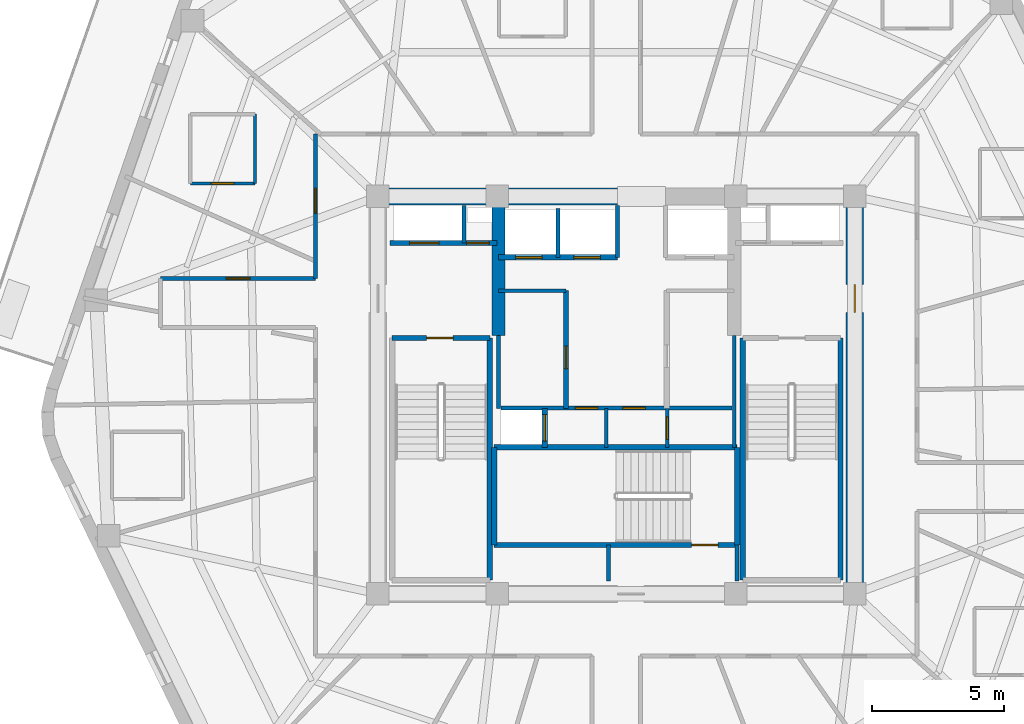
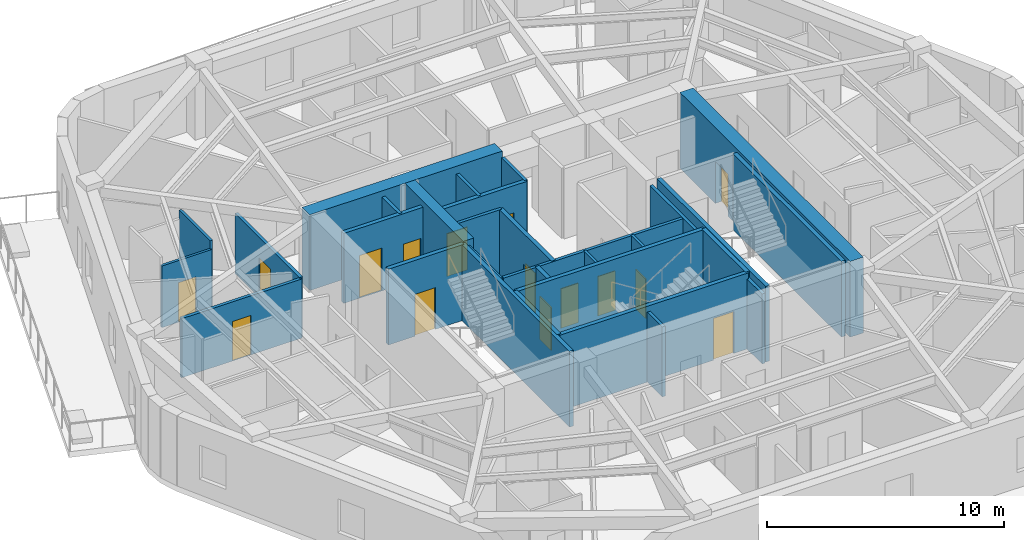
# One storey, part 4 of 9: 30 walls, 15 doors, 15 openings.
"""IFC4 building model written with IfcOpenShell, lengths in metres."""

from ifc_helpers import new_model, si_unit, direction, frame, frame_2d, origin, place, context, subcontext, project, spatial, rectangle, extrude, material, layer, layer_set, type_object, element, fill, save


model = new_model("IFC4")

# Units and contexts
model_context = context("Model", 3, precision=1e-05, world=origin(), true_north=direction((0.0, 1.0)))
body_context = subcontext(model_context, "Body", "Model", "MODEL_VIEW")
ifc_project = project(units=[si_unit("LENGTHUNIT", "METRE"), si_unit("AREAUNIT", "SQUARE_METRE"), si_unit("VOLUMEUNIT", "CUBIC_METRE"), si_unit("PLANEANGLEUNIT", "RADIAN"), si_unit("MASSUNIT", "GRAM", prefix="KILO")], contexts=[model_context])

# Site, building, storey
site_placement = place(None, origin())
site = spatial("IfcSite", under=ifc_project, at=site_placement, CompositionType="ELEMENT")
building_placement = place(site_placement, origin())
building = spatial("IfcBuilding", under=site, at=building_placement, Name="Kilnhurst Terrace Hotel", CompositionType="ELEMENT")
storey_placement = place(building_placement, frame((0.0, 0.0, 261.300048828125)))
storey = spatial("IfcBuildingStorey", under=building, at=storey_placement, Name="L65", CompositionType="ELEMENT", Elevation=261.300048828125)

# Wall, opening, door
ifc_material_1 = material(Name="Acoustic Double-Gypsum Corridor Partition Assembly")
ifc_layer_1 = layer(ifc_material_1, 0.14990234375, Name="Acoustic Double-Gypsum Corridor Partition Assembly")
ifc_layer_set_1 = layer_set([ifc_layer_1], Name="Acoustic Double-Gypsum Corridor Partition Assembly")
wall_type_1 = type_object("IfcWallType", Name="WL-COR-150", PredefinedType="PARTITIONING", material=ifc_layer_set_1)
wall_1_placement = place(storey_placement, frame((-17.199951171875, 4.39990234375, 0.0), z_axis=(0.0, 0.0, 1.0), x_axis=(1.0, 0.0, 0.0)))
wall_1 = element("IfcWall", 1, at=wall_1_placement, inside=storey, type_object=wall_type_1, Name="L65 Interior Wall WL-L65-COR-04", PredefinedType="PARTITIONING", context=body_context, shape_type="SweptSolid", body=[
    extrude(rectangle(XDim=5.849853515625, YDim=0.14990234375, at=frame_2d((2.9248046875, 0.0))), origin(), (0.0, 0.0, 1.0), 3.04052734375),
])
opening_1_placement = place(wall_1_placement, frame((2.47509765625, 0.0, 0.0)))
opening_1 = element("IfcOpeningElement", 2, at=opening_1_placement, cuts=wall_1, Name="Opening D-60C", PredefinedType="OPENING", context=body_context, shape_type="SweptSolid", body=[
    extrude(rectangle(XDim=0.89990234375, YDim=2.030029296875, at=frame_2d((0.449951171875, 1.01513671875))), frame((0.0, 0.0849609375, 0.0), z_axis=(0.0, -1.0, 0.0), x_axis=(1.0, 0.0, 0.0)), (0.0, 0.0, 1.0), 0.169921875),
])
ifc_material_2 = material(Name="Painted Solid-Core Service Fire Door")
door_type_1 = type_object("IfcDoorType", Name="DR-FD60-900", OperationType="NOTDEFINED", PredefinedType="DOOR", material=ifc_material_2)
door_1_placement = place(opening_1_placement, origin())
door_1 = element("IfcDoor", 3, at=door_1_placement, inside=storey, type_object=door_type_1, Name="L65 Wellness Consultation Room Door 10", OperationType="SINGLE_SWING_RIGHT", OverallHeight=2.030029296875, OverallWidth=0.89990234375, PredefinedType="DOOR", context=body_context, shape_type="SweptSolid", body=[
    extrude(rectangle(XDim=0.89990234375, YDim=2.030029296875, at=frame_2d((0.449951171875, 1.01513671875))), frame((0.0, 0.02490234375, 0.0), z_axis=(0.0, -1.0, 0.0), x_axis=(1.0, 0.0, 0.0)), (0.0, 0.0, 1.0), 0.050048828125),
])
fill(opening_1, door_1)

wall_2_placement = place(storey_placement, frame((-11.35009765625, 4.39990234375, 0.0), z_axis=(0.0, 0.0, 1.0), x_axis=(0.0, 1.0, 0.0)))
wall_2 = element("IfcWall", 4, at=wall_2_placement, inside=storey, type_object=wall_type_1, Name="L65 Interior Wall WL-L65-COR-05", PredefinedType="PARTITIONING", context=body_context, shape_type="SweptSolid", body=[
    extrude(rectangle(XDim=5.4501953125, YDim=0.14990234375, at=frame_2d((2.72509765625, 0.0))), origin(), (0.0, 0.0, 1.0), 3.08984375),
])
opening_2_placement = place(wall_2_placement, frame((2.4580078125, 0.0, 0.0)))
opening_2 = element("IfcOpeningElement", 5, at=opening_2_placement, cuts=wall_2, Name="Opening D-60B", PredefinedType="OPENING", context=body_context, shape_type="SweptSolid", body=[
    extrude(rectangle(XDim=0.949951171875, YDim=2.030029296875, at=frame_2d((0.47509765625, 1.01513671875))), frame((0.0, 0.0849609375, 0.0), z_axis=(0.0, -1.0, 0.0), x_axis=(1.0, 0.0, 0.0)), (0.0, 0.0, 1.0), 0.169921875),
])
ifc_material_3 = material(Name="Acoustic Walnut Veneer Solid-Core Fire Door")
door_type_2 = type_object("IfcDoorType", Name="DR-FD60-950", OperationType="NOTDEFINED", PredefinedType="DOOR", material=ifc_material_3)
door_2_placement = place(opening_2_placement, origin())
door_2 = element("IfcDoor", 6, at=door_2_placement, inside=storey, type_object=door_type_2, Name="L65 Guest Room Entry Door 9", OperationType="SINGLE_SWING_LEFT", OverallHeight=2.030029296875, OverallWidth=0.949951171875, PredefinedType="DOOR", context=body_context, shape_type="SweptSolid", body=[
    extrude(rectangle(XDim=0.949951171875, YDim=2.030029296875, at=frame_2d((0.47509765625, 1.01513671875))), frame((0.0, 0.02490234375, 0.0), z_axis=(0.0, -1.0, 0.0), x_axis=(1.0, 0.0, 0.0)), (0.0, 0.0, 1.0), 0.050048828125),
])
fill(opening_2, door_2)

# Wall
ifc_material_4 = material(Name="Concrete C60/75", Category="concrete")
ifc_layer_2 = layer(ifc_material_4, 0.64990234375, Name="Concrete C60/75")
ifc_layer_set_2 = layer_set([ifc_layer_2], Name="Concrete C60/75")
wall_type_2 = type_object("IfcWallType", Name="WL-CORE-650", PredefinedType="SHEAR", material=ifc_layer_set_2)
wall_3_placement = place(storey_placement, frame((-9.324951171875, 7.5, 0.0), z_axis=(0.0, 0.0, 1.0), x_axis=(1.0, 0.0, 0.0)))
element("IfcWall", 7, at=wall_3_placement, inside=storey, type_object=wall_type_2, Name="L65 Core North West Shear Wall", PredefinedType="SHEAR", context=body_context, shape_type="SweptSolid", body=[
    extrude(rectangle(XDim=9.375, YDim=0.64990234375, at=frame_2d((4.6875, 0.0))), origin(), (0.0, 0.0, 1.0), 3.89990234375),
])

# Wall, opening, door
wall_4_placement = place(storey_placement, frame((9.0, -7.175048828125, 0.0), z_axis=(0.0, 0.0, 1.0), x_axis=(0.0, 1.0, 0.0)))
wall_4 = element("IfcWall", 8, at=wall_4_placement, inside=storey, type_object=wall_type_2, Name="L65 Core East Shear Wall", PredefinedType="SHEAR", context=body_context, shape_type="SweptSolid", body=[
    extrude(rectangle(XDim=14.35009765625, YDim=0.64990234375, at=frame_2d((7.175048828125, 0.0))), origin(), (0.0, 0.0, 1.0), 3.89990234375),
])
opening_3_placement = place(wall_4_placement, frame((10.300048828125, 0.0, 0.0)))
opening_3 = element("IfcOpeningElement", 9, at=opening_3_placement, cuts=wall_4, Name="Opening D-90A", PredefinedType="OPENING", context=body_context, shape_type="SweptSolid", body=[
    extrude(rectangle(XDim=1.050048828125, YDim=2.14990234375, at=frame_2d((0.52490234375, 1.074951171875))), frame((0.0, 0.3349609375, 0.0), z_axis=(0.0, -1.0, 0.0), x_axis=(1.0, 0.0, 0.0)), (0.0, 0.0, 1.0), 0.669921875),
])
ifc_material_5 = material(Name="Painted Hollow Metal Steel ASTM A36 Fire Door", Category="steel")
door_type_3 = type_object("IfcDoorType", Name="DR-FD90-1050", OperationType="NOTDEFINED", PredefinedType="DOOR", material=ifc_material_5)
door_3_placement = place(opening_3_placement, origin())
door_3 = element("IfcDoor", 10, at=door_3_placement, inside=storey, type_object=door_type_3, Name="L65 East Firefighting Lobby Door", OperationType="SINGLE_SWING_LEFT", OverallHeight=2.14990234375, OverallWidth=1.050048828125, PredefinedType="DOOR", context=body_context, shape_type="SweptSolid", body=[
    extrude(rectangle(XDim=1.050048828125, YDim=2.14990234375, at=frame_2d((0.52490234375, 1.074951171875))), frame((0.0, 0.02490234375, 0.0), z_axis=(0.0, -1.0, 0.0), x_axis=(1.0, 0.0, 0.0)), (0.0, 0.0, 1.0), 0.050048828125),
])
fill(opening_3, door_3)

# Walls
ifc_layer_3 = layer(ifc_material_4, 0.5, Name="Concrete C60/75")
ifc_layer_set_3 = layer_set([ifc_layer_3], Name="Concrete C60/75")
wall_type_3 = type_object("IfcWallType", Name="WL-CORE-WEB-500", PredefinedType="SHEAR", material=ifc_layer_set_3)
wall_5_placement = place(storey_placement, frame((-4.449951171875, 2.25, 0.0), z_axis=(0.0, 0.0, 1.0), x_axis=(0.0, 1.0, 0.0)))
element("IfcWall", 11, at=wall_5_placement, inside=storey, type_object=wall_type_3, Name="L65 Core Internal West Shear Web", PredefinedType="SHEAR", context=body_context, shape_type="SweptSolid", body=[
    extrude(rectangle(XDim=4.925048828125, YDim=0.5, at=frame_2d((2.46240234375, 0.0))), origin(), (0.0, 0.0, 1.0), 3.89990234375),
])
ifc_material_6 = material(Name="120 mm Moisture-Resistant Tile-Backed Bathroom Partition")
ifc_layer_4 = layer(ifc_material_6, 0.1201171875, Name="120 mm Moisture-Resistant Tile-Backed Bathroom Partition")
ifc_layer_set_4 = layer_set([ifc_layer_4], Name="120 mm Moisture-Resistant Tile-Backed Bathroom Partition")
wall_type_4 = type_object("IfcWallType", Name="WL-PART-120", PredefinedType="PARTITIONING", material=ifc_layer_set_4)
wall_6_placement = place(storey_placement, frame((-0.3798828125, -1.971923828125, 0.0), z_axis=(0.0, 0.0, 1.0), x_axis=(0.0, 1.0, 0.0)))
element("IfcWall", 12, at=wall_6_placement, inside=storey, type_object=wall_type_4, Name="L65 Interior Wall WL-L65-BOH-C1", PredefinedType="PARTITIONING", context=body_context, shape_type="SweptSolid", body=[
    extrude(rectangle(XDim=1.471923828125, YDim=0.1201171875, at=frame_2d((0.73583984375, 0.0))), origin(), (0.0, 0.0, 1.0), 3.599853515625),
])

# Wall, opening, door
wall_7_placement = place(storey_placement, frame((1.919921875, -1.971923828125, 0.0), z_axis=(0.0, 0.0, 1.0), x_axis=(0.0, 1.0, 0.0)))
wall_7 = element("IfcWall", 13, at=wall_7_placement, inside=storey, type_object=wall_type_4, Name="L65 Interior Wall WL-L65-BOH-C2", PredefinedType="PARTITIONING", context=body_context, shape_type="SweptSolid", body=[
    extrude(rectangle(XDim=1.471923828125, YDim=0.1201171875, at=frame_2d((0.73583984375, 0.0))), origin(), (0.0, 0.0, 1.0), 3.599853515625),
])
opening_4_placement = place(wall_7_placement, frame((0.300048828125, 0.0, 0.0)))
opening_4 = element("IfcOpeningElement", 14, at=opening_4_placement, cuts=wall_7, Name="Opening D-08A", PredefinedType="OPENING", context=body_context, shape_type="SweptSolid", body=[
    extrude(rectangle(XDim=0.85009765625, YDim=2.030029296875, at=frame_2d((0.425048828125, 1.01513671875))), frame((0.0, 0.070068359375, 0.0), z_axis=(0.0, -1.0, 0.0), x_axis=(1.0, 0.0, 0.0)), (0.0, 0.0, 1.0), 0.14013671875),
])
ifc_material_7 = material(Name="Moisture-Resistant Lacquered En-suite Bathroom Door")
door_type_4 = type_object("IfcDoorType", Name="DR-INT-850", OperationType="NOTDEFINED", PredefinedType="DOOR", material=ifc_material_7)
door_4_placement = place(opening_4_placement, origin())
door_4 = element("IfcDoor", 15, at=door_4_placement, inside=storey, type_object=door_type_4, Name="L65 Staff Restroom Door", OperationType="SINGLE_SWING_RIGHT", OverallHeight=2.030029296875, OverallWidth=0.85009765625, PredefinedType="DOOR", context=body_context, shape_type="SweptSolid", body=[
    extrude(rectangle(XDim=0.85009765625, YDim=2.030029296875, at=frame_2d((0.425048828125, 1.01513671875))), frame((0.0, 0.02490234375, 0.0), z_axis=(0.0, -1.0, 0.0), x_axis=(1.0, 0.0, 0.0)), (0.0, 0.0, 1.0), 0.050048828125),
])
fill(opening_4, door_4)

wall_8_placement = place(storey_placement, frame((-16.0791015625, 7.991943359375, 0.0), z_axis=(0.0, 0.0, 1.0), x_axis=(1.0, 0.0, 0.0)))
wall_8 = element("IfcWall", 16, at=wall_8_placement, inside=storey, type_object=wall_type_4, Name="L65 Interior Wall WL-L65-BTH-09-1", PredefinedType="PARTITIONING", context=body_context, shape_type="SweptSolid", body=[
    extrude(rectangle(XDim=2.440185546875, YDim=0.1201171875, at=frame_2d((1.22021484375, 0.0))), origin(), (0.0, 0.0, 1.0), 3.17236328125),
])
opening_5_placement = place(wall_8_placement, frame((0.794921875, 0.0, 0.0)))
opening_5 = element("IfcOpeningElement", 17, at=opening_5_placement, cuts=wall_8, Name="Opening D-08A", PredefinedType="OPENING", context=body_context, shape_type="SweptSolid", body=[
    extrude(rectangle(XDim=0.85009765625, YDim=2.030029296875, at=frame_2d((0.425048828125, 1.01513671875))), frame((0.0, 0.070068359375, 0.0), z_axis=(0.0, -1.0, 0.0), x_axis=(1.0, 0.0, 0.0)), (0.0, 0.0, 1.0), 0.14013671875),
])
door_5_placement = place(opening_5_placement, origin())
door_5 = element("IfcDoor", 18, at=door_5_placement, inside=storey, type_object=door_type_4, Name="L65 En-suite Bathroom Door 9", OperationType="SINGLE_SWING_RIGHT", OverallHeight=2.030029296875, OverallWidth=0.85009765625, PredefinedType="DOOR", context=body_context, shape_type="SweptSolid", body=[
    extrude(rectangle(XDim=0.85009765625, YDim=2.030029296875, at=frame_2d((0.425048828125, 1.01513671875))), frame((0.0, 0.02490234375, 0.0), z_axis=(0.0, -1.0, 0.0), x_axis=(1.0, 0.0, 0.0)), (0.0, 0.0, 1.0), 0.050048828125),
])
fill(opening_5, door_5)

# Walls
wall_9_placement = place(storey_placement, frame((-13.638916015625, 7.991943359375, 0.0), z_axis=(0.0, 0.0, 1.0), x_axis=(0.0, 1.0, 0.0)))
element("IfcWall", 19, at=wall_9_placement, inside=storey, type_object=wall_type_4, Name="L65 Interior Wall WL-L65-BTH-09-2", PredefinedType="PARTITIONING", context=body_context, shape_type="SweptSolid", body=[
    extrude(rectangle(XDim=2.610107421875, YDim=0.1201171875, at=frame_2d((1.30517578125, 0.0))), origin(), (0.0, 0.0, 1.0), 3.599853515625),
])
ifc_material_8 = material(Name="Fire-Rated Gypsum Shaftliner Assembly")
ifc_layer_5 = layer(ifc_material_8, 0.14990234375, Name="Fire-Rated Gypsum Shaftliner Assembly")
ifc_layer_set_5 = layer_set([ifc_layer_5], Name="Fire-Rated Gypsum Shaftliner Assembly")
wall_type_5 = type_object("IfcWallType", Name="WL-SHAFT-150", PredefinedType="PARTITIONING", material=ifc_layer_set_5)
for number, where, z_axis, x_axis, name in (
    (20, (-0.300048828125, -7.02001953125, 0.0), (0.0, 0.0, 1.0), (0.0, 1.0, 0.0), "L65 Interior Wall WL-L65-ST3-PSGW"),
    (21, (4.55810546875, -7.02001953125, 0.0), (0.0, 0.0, 1.0), (0.0, 1.0, 0.0), "L65 Interior Wall WL-L65-ST3-PSGE"),
):
    element("IfcWall", number, at=place(storey_placement, frame(where, z_axis=z_axis, x_axis=x_axis)), inside=storey, type_object=wall_type_5, Name=name, PredefinedType="PARTITIONING", context=body_context, shape_type="SweptSolid", body=[
        extrude(rectangle(XDim=1.362060546875, YDim=0.14990234375, at=frame_2d((0.68115234375, 0.0))), origin(), (0.0, 0.0, 1.0), 3.599853515625),
    ])
wall_10_placement = place(storey_placement, frame((-5.75, 5.739990234375, 0.0), z_axis=(0.0, 0.0, 1.0), x_axis=(0.0, 1.0, 0.0)))
element("IfcWall", 22, at=wall_10_placement, inside=storey, type_object=wall_type_5, Name="L65 Interior Wall WL-L65-RIS1-DIV", PredefinedType="PARTITIONING", context=body_context, shape_type="SweptSolid", body=[
    extrude(rectangle(XDim=1.409912109375, YDim=0.14990234375, at=frame_2d((0.705078125, 0.0))), origin(), (0.0, 0.0, 1.0), 3.599853515625),
])
wall_11_placement = place(storey_placement, frame((-2.199951171875, 5.199951171875, 0.0), z_axis=(0.0, 0.0, 1.0), x_axis=(0.0, 1.0, 0.0)))
element("IfcWall", 23, at=wall_11_placement, inside=storey, type_object=wall_type_5, Name="L65 Interior Wall WL-L65-HR-DIV1", PredefinedType="PARTITIONING", context=body_context, shape_type="SweptSolid", body=[
    extrude(rectangle(XDim=1.85009765625, YDim=0.14990234375, at=frame_2d((0.925048828125, 0.0))), origin(), (0.0, 0.0, 1.0), 3.599853515625),
])
wall_12_placement = place(storey_placement, frame((0.050048828125, 5.199951171875, 0.0), z_axis=(0.0, 0.0, 1.0), x_axis=(0.0, 1.0, 0.0)))
element("IfcWall", 24, at=wall_12_placement, inside=storey, type_object=wall_type_5, Name="L65 Interior Wall WL-L65-HR-PORTAL-W", PredefinedType="PARTITIONING", context=body_context, shape_type="SweptSolid", body=[
    extrude(rectangle(XDim=1.949951171875, YDim=0.14990234375, at=frame_2d((0.97509765625, 0.0))), origin(), (0.0, 0.0, 1.0), 3.599853515625),
])
wall_13_placement = place(storey_placement, frame((-4.449951171875, -0.5, 0.0), z_axis=(0.0, 0.0, 1.0), x_axis=(0.0, 1.0, 0.0)))
element("IfcWall", 25, at=wall_13_placement, inside=storey, type_object=wall_type_5, Name="L65 Interior Wall WL-L65-XLOB-W", PredefinedType="PARTITIONING", context=body_context, shape_type="SweptSolid", body=[
    extrude(rectangle(XDim=2.75, YDim=0.14990234375, at=frame_2d((1.375, 0.0))), origin(), (0.0, 0.0, 1.0), 3.599853515625),
])
wall_14_placement = place(storey_placement, frame((4.449951171875, -1.971923828125, 0.0), z_axis=(0.0, 0.0, 1.0), x_axis=(0.0, 1.0, 0.0)))
element("IfcWall", 26, at=wall_14_placement, inside=storey, type_object=wall_type_5, Name="L65 Interior Wall WL-L65-XLOB-E", PredefinedType="PARTITIONING", context=body_context, shape_type="SweptSolid", body=[
    extrude(rectangle(XDim=4.221923828125, YDim=0.14990234375, at=frame_2d((2.11083984375, 0.0))), origin(), (0.0, 0.0, 1.0), 3.599853515625),
])
wall_15_placement = place(storey_placement, frame((-4.449951171875, 3.93994140625, 0.0), z_axis=(0.0, 0.0, 1.0), x_axis=(1.0, 0.0, 0.0)))
element("IfcWall", 27, at=wall_15_placement, inside=storey, type_object=wall_type_5, Name="L65 Interior Wall WL-L65-LR-NORTH", PredefinedType="PARTITIONING", context=body_context, shape_type="SweptSolid", body=[
    extrude(rectangle(XDim=2.550048828125, YDim=0.14990234375, at=frame_2d((1.27490234375, 0.0))), origin(), (0.0, 0.0, 1.0), 3.599853515625),
])

# Wall, openings, doors
wall_16_placement = place(storey_placement, frame((-4.360107421875, -0.489990234375, 0.0), z_axis=(0.0, 0.0, 1.0), x_axis=(1.0, 0.0, 0.0)))
wall_16 = element("IfcWall", 28, at=wall_16_placement, inside=storey, type_object=wall_type_5, Name="L65 Interior Wall WL-L65-BOH-N", PredefinedType="PARTITIONING", context=body_context, shape_type="SweptSolid", body=[
    extrude(rectangle(XDim=8.72021484375, YDim=0.14990234375, at=frame_2d((4.360107421875, 0.0))), origin(), (0.0, 0.0, 1.0), 3.599853515625),
])
opening_6_placement = place(wall_16_placement, frame((2.81005859375, 0.0, 0.0)))
opening_6 = element("IfcOpeningElement", 29, at=opening_6_placement, cuts=wall_16, Name="Opening D-60D", PredefinedType="OPENING", context=body_context, shape_type="SweptSolid", body=[
    extrude(rectangle(XDim=0.85009765625, YDim=2.030029296875, at=frame_2d((0.425048828125, 1.01513671875))), frame((0.0, 0.0849609375, 0.0), z_axis=(0.0, -1.0, 0.0), x_axis=(1.0, 0.0, 0.0)), (0.0, 0.0, 1.0), 0.169921875),
])
opening_7_placement = place(wall_16_placement, frame((4.610107421875, 0.0, 0.0)))
opening_7 = element("IfcOpeningElement", 30, at=opening_7_placement, cuts=wall_16, Name="Opening D-60D", PredefinedType="OPENING", context=body_context, shape_type="SweptSolid", body=[
    extrude(rectangle(XDim=0.85009765625, YDim=2.030029296875, at=frame_2d((0.425048828125, 1.01513671875))), frame((0.0, 0.0849609375, 0.0), z_axis=(0.0, -1.0, 0.0), x_axis=(1.0, 0.0, 0.0)), (0.0, 0.0, 1.0), 0.169921875),
])
ifc_material_9 = material(Name="Painted Hollow Metal Steel ASTM A36 Riser Door", Category="steel")
door_type_5 = type_object("IfcDoorType", Name="DR-FD60-850", OperationType="NOTDEFINED", PredefinedType="DOOR", material=ifc_material_9)
door_6_placement = place(opening_6_placement, origin())
door_6 = element("IfcDoor", 31, at=door_6_placement, inside=storey, type_object=door_type_5, Name="L65 Housekeeping Station Door", OperationType="SINGLE_SWING_LEFT", OverallHeight=2.030029296875, OverallWidth=0.85009765625, PredefinedType="DOOR", context=body_context, shape_type="SweptSolid", body=[
    extrude(rectangle(XDim=0.85009765625, YDim=2.030029296875, at=frame_2d((0.425048828125, 1.01513671875))), frame((0.0, 0.02490234375, 0.0), z_axis=(0.0, -1.0, 0.0), x_axis=(1.0, 0.0, 0.0)), (0.0, 0.0, 1.0), 0.050048828125),
])
fill(opening_6, door_6)
door_7_placement = place(opening_7_placement, origin())
door_7 = element("IfcDoor", 32, at=door_7_placement, inside=storey, type_object=door_type_5, Name="L65 Beverage Pantry Door", OperationType="SINGLE_SWING_RIGHT", OverallHeight=2.030029296875, OverallWidth=0.85009765625, PredefinedType="DOOR", context=body_context, shape_type="SweptSolid", body=[
    extrude(rectangle(XDim=0.85009765625, YDim=2.030029296875, at=frame_2d((0.425048828125, 1.01513671875))), frame((0.0, 0.02490234375, 0.0), z_axis=(0.0, -1.0, 0.0), x_axis=(1.0, 0.0, 0.0)), (0.0, 0.0, 1.0), 0.050048828125),
])
fill(opening_7, door_7)

ifc_material_10 = material(Name="Autoclaved Aerated Concrete C30/37 and Gypsum Shaft Assembly", Category="concrete")
ifc_layer_6 = layer(ifc_material_10, 0.199951171875, Name="Autoclaved Aerated Concrete C30/37 and Gypsum Shaft Assembly")
ifc_layer_set_6 = layer_set([ifc_layer_6], Name="Autoclaved Aerated Concrete C30/37 and Gypsum Shaft Assembly")
wall_type_6 = type_object("IfcWallType", Name="WL-SHAFT-200", PredefinedType="PARTITIONING", material=ifc_layer_set_6)
wall_17_placement = place(storey_placement, frame((-8.550048828125, 5.739990234375, 0.0), z_axis=(0.0, 0.0, 1.0), x_axis=(1.0, 0.0, 0.0)))
wall_17 = element("IfcWall", 33, at=wall_17_placement, inside=storey, type_object=wall_type_6, Name="L65 Interior Wall WL-L65-FSAE1-S", PredefinedType="PARTITIONING", context=body_context, shape_type="SweptSolid", body=[
    extrude(rectangle(XDim=4.050048828125, YDim=0.199951171875, at=frame_2d((2.02490234375, 0.0))), origin(), (0.0, 0.0, 1.0), 3.599853515625),
])
opening_8_placement = place(wall_17_placement, frame((0.75, 0.0, 0.0)))
opening_8 = element("IfcOpeningElement", 34, at=opening_8_placement, cuts=wall_17, Name="Opening LD-F1", PredefinedType="OPENING", context=body_context, shape_type="SweptSolid", body=[
    extrude(rectangle(XDim=1.10009765625, YDim=2.199951171875, at=frame_2d((0.550048828125, 1.10009765625))), frame((0.0, 0.10986328125, 0.0), z_axis=(0.0, -1.0, 0.0), x_axis=(1.0, 0.0, 0.0)), (0.0, 0.0, 1.0), 0.219970703125),
])
opening_9_placement = place(wall_17_placement, frame((2.89990234375, 0.0, 0.0)))
opening_9 = element("IfcOpeningElement", 35, at=opening_9_placement, cuts=wall_17, Name="Opening D-60D", PredefinedType="OPENING", context=body_context, shape_type="SweptSolid", body=[
    extrude(rectangle(XDim=0.85009765625, YDim=2.030029296875, at=frame_2d((0.425048828125, 1.01513671875))), frame((0.0, 0.10986328125, 0.0), z_axis=(0.0, -1.0, 0.0), x_axis=(1.0, 0.0, 0.0)), (0.0, 0.0, 1.0), 0.219970703125),
])
door_8_placement = place(opening_9_placement, origin())
door_8 = element("IfcDoor", 36, at=door_8_placement, inside=storey, type_object=door_type_5, Name="L65 Electrical Riser Door", OperationType="SINGLE_SWING_LEFT", OverallHeight=2.030029296875, OverallWidth=0.85009765625, PredefinedType="DOOR", context=body_context, shape_type="SweptSolid", body=[
    extrude(rectangle(XDim=0.85009765625, YDim=2.030029296875, at=frame_2d((0.425048828125, 1.01513671875))), frame((0.0, 0.02490234375, 0.0), z_axis=(0.0, -1.0, 0.0), x_axis=(1.0, 0.0, 0.0)), (0.0, 0.0, 1.0), 0.050048828125),
])
fill(opening_9, door_8)
ifc_material_11 = material(Name="Bronze-Anodized Stainless Steel AISI 316L Sliding Door", Category="steel")
door_type_6 = type_object("IfcDoorType", Name="DR-LIFT-1100", OperationType="NOTDEFINED", PredefinedType="DOOR", material=ifc_material_11)
door_9_placement = place(opening_8_placement, origin())
door_9 = element("IfcDoor", 37, at=door_9_placement, inside=storey, type_object=door_type_6, Name="L65 FSAE-1 Landing Door", OperationType="SLIDING_TO_LEFT", OverallHeight=2.199951171875, OverallWidth=1.10009765625, PredefinedType="DOOR", context=body_context, shape_type="SweptSolid", body=[
    extrude(rectangle(XDim=1.10009765625, YDim=2.199951171875, at=frame_2d((0.550048828125, 1.10009765625))), frame((0.0, 0.02490234375, 0.0), z_axis=(0.0, -1.0, 0.0), x_axis=(1.0, 0.0, 0.0)), (0.0, 0.0, 1.0), 0.050048828125),
])
fill(opening_8, door_9)

# Wall, opening, door
wall_18_placement = place(storey_placement, frame((-2.699951171875, -1.971923828125, 0.0), z_axis=(0.0, 0.0, 1.0), x_axis=(0.0, 1.0, 0.0)))
wall_18 = element("IfcWall", 38, at=wall_18_placement, inside=storey, type_object=wall_type_6, Name="L65 Interior Wall WL-L65-SRV1-E", PredefinedType="PARTITIONING", context=body_context, shape_type="SweptSolid", body=[
    extrude(rectangle(XDim=1.471923828125, YDim=0.199951171875, at=frame_2d((0.73583984375, 0.0))), origin(), (0.0, 0.0, 1.0), 3.599853515625),
])
opening_10_placement = place(wall_18_placement, frame((0.239990234375, 0.0, 0.0)))
opening_10 = element("IfcOpeningElement", 39, at=opening_10_placement, cuts=wall_18, Name="Opening LD-SV", PredefinedType="OPENING", context=body_context, shape_type="SweptSolid", body=[
    extrude(rectangle(XDim=1.0, YDim=2.199951171875, at=frame_2d((0.5, 1.10009765625))), frame((0.0, 0.10986328125, 0.0), z_axis=(0.0, -1.0, 0.0), x_axis=(1.0, 0.0, 0.0)), (0.0, 0.0, 1.0), 0.219970703125),
])
door_type_7 = type_object("IfcDoorType", Name="DR-LIFT-1000", OperationType="NOTDEFINED", PredefinedType="DOOR", material=ifc_material_11)
door_10_placement = place(opening_10_placement, origin())
door_10 = element("IfcDoor", 40, at=door_10_placement, inside=storey, type_object=door_type_7, Name="L65 Service Lift SRV-1 Landing Door", OperationType="SLIDING_TO_LEFT", OverallHeight=2.199951171875, OverallWidth=1.0, PredefinedType="DOOR", context=body_context, shape_type="SweptSolid", body=[
    extrude(rectangle(XDim=1.0, YDim=2.199951171875, at=frame_2d((0.5, 1.10009765625))), frame((0.0, 0.02490234375, 0.0), z_axis=(0.0, -1.0, 0.0), x_axis=(1.0, 0.0, 0.0)), (0.0, 0.0, 1.0), 0.050048828125),
])
fill(opening_10, door_10)

# Wall, openings, doors
wall_19_placement = place(storey_placement, frame((-4.449951171875, 5.199951171875, 0.0), z_axis=(0.0, 0.0, 1.0), x_axis=(1.0, 0.0, 0.0)))
wall_19 = element("IfcWall", 41, at=wall_19_placement, inside=storey, type_object=wall_type_6, Name="L65 Interior Wall WL-L65-HR-SW", PredefinedType="PARTITIONING", context=body_context, shape_type="SweptSolid", body=[
    extrude(rectangle(XDim=4.5, YDim=0.199951171875, at=frame_2d((2.25, 0.0))), origin(), (0.0, 0.0, 1.0), 3.599853515625),
])
opening_11_placement = place(wall_19_placement, frame((0.64990234375, 0.0, 0.0)))
opening_11 = element("IfcOpeningElement", 42, at=opening_11_placement, cuts=wall_19, Name="Opening LD-HR", PredefinedType="OPENING", context=body_context, shape_type="SweptSolid", body=[
    extrude(rectangle(XDim=1.0, YDim=2.199951171875, at=frame_2d((0.5, 1.10009765625))), frame((0.0, 0.10986328125, 0.0), z_axis=(0.0, -1.0, 0.0), x_axis=(1.0, 0.0, 0.0)), (0.0, 0.0, 1.0), 0.219970703125),
])
opening_12_placement = place(wall_19_placement, frame((2.85009765625, 0.0, 0.0)))
opening_12 = element("IfcOpeningElement", 43, at=opening_12_placement, cuts=wall_19, Name="Opening LD-HS", PredefinedType="OPENING", context=body_context, shape_type="SweptSolid", body=[
    extrude(rectangle(XDim=1.0, YDim=2.199951171875, at=frame_2d((0.5, 1.10009765625))), frame((0.0, 0.10986328125, 0.0), z_axis=(0.0, -1.0, 0.0), x_axis=(1.0, 0.0, 0.0)), (0.0, 0.0, 1.0), 0.219970703125),
])
door_11_placement = place(opening_11_placement, origin())
door_11 = element("IfcDoor", 44, at=door_11_placement, inside=storey, type_object=door_type_7, Name="L65 High Rise Lift HR-1 Landing Door", OperationType="SLIDING_TO_LEFT", OverallHeight=2.199951171875, OverallWidth=1.0, PredefinedType="DOOR", context=body_context, shape_type="SweptSolid", body=[
    extrude(rectangle(XDim=1.0, YDim=2.199951171875, at=frame_2d((0.5, 1.10009765625))), frame((0.0, 0.02490234375, 0.0), z_axis=(0.0, -1.0, 0.0), x_axis=(1.0, 0.0, 0.0)), (0.0, 0.0, 1.0), 0.050048828125),
])
fill(opening_11, door_11)
door_12_placement = place(opening_12_placement, origin())
door_12 = element("IfcDoor", 45, at=door_12_placement, inside=storey, type_object=door_type_7, Name="L65 High Rise Lift HR-3 Landing Door", OperationType="SLIDING_TO_RIGHT", OverallHeight=2.199951171875, OverallWidth=1.0, PredefinedType="DOOR", context=body_context, shape_type="SweptSolid", body=[
    extrude(rectangle(XDim=1.0, YDim=2.199951171875, at=frame_2d((0.5, 1.10009765625))), frame((0.0, 0.02490234375, 0.0), z_axis=(0.0, -1.0, 0.0), x_axis=(1.0, 0.0, 0.0)), (0.0, 0.0, 1.0), 0.050048828125),
])
fill(opening_12, door_12)

# Wall, opening, door
wall_20_placement = place(storey_placement, frame((-1.89990234375, -0.5, 0.0), z_axis=(0.0, 0.0, 1.0), x_axis=(0.0, 1.0, 0.0)))
wall_20 = element("IfcWall", 46, at=wall_20_placement, inside=storey, type_object=wall_type_6, Name="L65 Interior Wall WL-L65-LR-FRONT", PredefinedType="PARTITIONING", context=body_context, shape_type="SweptSolid", body=[
    extrude(rectangle(XDim=4.43994140625, YDim=0.199951171875, at=frame_2d((2.219970703125, 0.0))), origin(), (0.0, 0.0, 1.0), 3.599853515625),
])
opening_13_placement = place(wall_20_placement, frame((1.5, 0.0, 0.0)))
opening_13 = element("IfcOpeningElement", 47, at=opening_13_placement, cuts=wall_20, Name="Opening D-60D", PredefinedType="OPENING", context=body_context, shape_type="SweptSolid", body=[
    extrude(rectangle(XDim=0.85009765625, YDim=2.030029296875, at=frame_2d((0.425048828125, 1.01513671875))), frame((0.0, 0.10986328125, 0.0), z_axis=(0.0, -1.0, 0.0), x_axis=(1.0, 0.0, 0.0)), (0.0, 0.0, 1.0), 0.219970703125),
])
door_13_placement = place(opening_13_placement, origin())
door_13 = element("IfcDoor", 48, at=door_13_placement, inside=storey, type_object=door_type_5, Name="L65 Reclaimed Linen Room Door", OperationType="SINGLE_SWING_LEFT", OverallHeight=2.030029296875, OverallWidth=0.85009765625, PredefinedType="DOOR", context=body_context, shape_type="SweptSolid", body=[
    extrude(rectangle(XDim=0.85009765625, YDim=2.030029296875, at=frame_2d((0.425048828125, 1.01513671875))), frame((0.0, 0.02490234375, 0.0), z_axis=(0.0, -1.0, 0.0), x_axis=(1.0, 0.0, 0.0)), (0.0, 0.0, 1.0), 0.050048828125),
])
fill(opening_13, door_13)

# Wall
ifc_material_12 = material(Name="Concrete C50/60", Category="concrete")
ifc_layer_7 = layer(ifc_material_12, 0.199951171875, Name="Concrete C50/60")
ifc_layer_set_7 = layer_set([ifc_layer_7], Name="Concrete C50/60")
wall_type_7 = type_object("IfcWallType", Name="WL-STAIR-RC-200", PredefinedType="SHEAR", material=ifc_layer_set_7)
wall_21_placement = place(storey_placement, frame((-4.77197265625, -6.985107421875, 0.0), z_axis=(0.0, 0.0, 1.0), x_axis=(0.0, 1.0, 0.0)))
element("IfcWall", 49, at=wall_21_placement, inside=storey, type_object=wall_type_7, Name="L65 Structural Stair Shaft Wall WL-L65-ST1-E", PredefinedType="SHEAR", context=body_context, shape_type="SweptSolid", body=[
    extrude(rectangle(XDim=9.14306640625, YDim=0.199951171875, at=frame_2d((4.571533203125, 0.0))), origin(), (0.0, 0.0, 1.0), 3.89990234375),
])

# Wall, opening, door
wall_22_placement = place(storey_placement, frame((-8.4580078125, 2.157958984375, 0.0), z_axis=(0.0, 0.0, 1.0), x_axis=(1.0, 0.0, 0.0)))
wall_22 = element("IfcWall", 50, at=wall_22_placement, inside=storey, type_object=wall_type_7, Name="L65 Structural Stair Shaft Wall WL-L65-ST1-N", PredefinedType="SHEAR", context=body_context, shape_type="SweptSolid", body=[
    extrude(rectangle(XDim=3.68603515625, YDim=0.199951171875, at=frame_2d((1.843017578125, 0.0))), origin(), (0.0, 0.0, 1.0), 3.89990234375),
])
opening_14_placement = place(wall_22_placement, frame((1.300048828125, 0.0, 0.0)))
opening_14 = element("IfcOpeningElement", 51, at=opening_14_placement, cuts=wall_22, Name="Opening D-90B", PredefinedType="OPENING", context=body_context, shape_type="SweptSolid", body=[
    extrude(rectangle(XDim=1.0, YDim=2.14990234375, at=frame_2d((0.5, 1.074951171875))), frame((0.0, 0.10986328125, 0.0), z_axis=(0.0, -1.0, 0.0), x_axis=(1.0, 0.0, 0.0)), (0.0, 0.0, 1.0), 0.219970703125),
])
door_type_8 = type_object("IfcDoorType", Name="DR-FD90-1000", OperationType="NOTDEFINED", PredefinedType="DOOR", material=ifc_material_5)
door_14_placement = place(opening_14_placement, origin())
door_14 = element("IfcDoor", 52, at=door_14_placement, inside=storey, type_object=door_type_8, Name="L65 Stair ST-1 Door", OperationType="SINGLE_SWING_LEFT", OverallHeight=2.14990234375, OverallWidth=1.0, PredefinedType="DOOR", context=body_context, shape_type="SweptSolid", body=[
    extrude(rectangle(XDim=1.0, YDim=2.14990234375, at=frame_2d((0.5, 1.074951171875))), frame((0.0, 0.02490234375, 0.0), z_axis=(0.0, -1.0, 0.0), x_axis=(1.0, 0.0, 0.0)), (0.0, 0.0, 1.0), 0.050048828125),
])
fill(opening_14, door_14)

# Walls
for number, where, z_axis, x_axis, name in (
    (53, (4.77197265625, -6.985107421875, 0.0), (0.0, 0.0, 1.0), (0.0, 1.0, 0.0), "L65 Structural Stair Shaft Wall WL-L65-ST2-W"),
    (54, (8.4580078125, -6.985107421875, 0.0), (0.0, 0.0, 1.0), (0.0, 1.0, 0.0), "L65 Structural Stair Shaft Wall WL-L65-ST2-E"),
):
    element("IfcWall", number, at=place(storey_placement, frame(where, z_axis=z_axis, x_axis=x_axis)), inside=storey, type_object=wall_type_7, Name=name, PredefinedType="SHEAR", context=body_context, shape_type="SweptSolid", body=[
        extrude(rectangle(XDim=9.14306640625, YDim=0.199951171875, at=frame_2d((4.571533203125, 0.0))), origin(), (0.0, 0.0, 1.0), 3.89990234375),
    ])
wall_23_placement = place(storey_placement, frame((-4.60791015625, -5.657958984375, 0.0), z_axis=(0.0, 0.0, 1.0), x_axis=(0.0, 1.0, 0.0)))
element("IfcWall", 55, at=wall_23_placement, inside=storey, type_object=wall_type_7, Name="L65 Structural Stair Shaft Wall WL-L65-ST3-W", PredefinedType="SHEAR", context=body_context, shape_type="SweptSolid", body=[
    extrude(rectangle(XDim=3.68603515625, YDim=0.199951171875, at=frame_2d((1.843017578125, 0.0))), origin(), (0.0, 0.0, 1.0), 3.89990234375),
])

# Wall, opening, door
wall_24_placement = place(storey_placement, frame((-4.60791015625, -5.657958984375, 0.0), z_axis=(0.0, 0.0, 1.0), x_axis=(1.0, 0.0, 0.0)))
wall_24 = element("IfcWall", 56, at=wall_24_placement, inside=storey, type_object=wall_type_7, Name="L65 Structural Stair Shaft Wall WL-L65-ST3-S", PredefinedType="SHEAR", context=body_context, shape_type="SweptSolid", body=[
    extrude(rectangle(XDim=9.166015625, YDim=0.199951171875, at=frame_2d((4.5830078125, 0.0))), origin(), (0.0, 0.0, 1.0), 3.89990234375),
])
opening_15_placement = place(wall_24_placement, frame((7.449951171875, 0.0, 0.0)))
opening_15 = element("IfcOpeningElement", 57, at=opening_15_placement, cuts=wall_24, Name="Opening D-90B", PredefinedType="OPENING", context=body_context, shape_type="SweptSolid", body=[
    extrude(rectangle(XDim=1.0, YDim=2.14990234375, at=frame_2d((0.5, 1.074951171875))), frame((0.0, 0.10986328125, 0.0), z_axis=(0.0, -1.0, 0.0), x_axis=(1.0, 0.0, 0.0)), (0.0, 0.0, 1.0), 0.219970703125),
])
door_15_placement = place(opening_15_placement, origin())
door_15 = element("IfcDoor", 58, at=door_15_placement, inside=storey, type_object=door_type_8, Name="L65 Stair ST-3 Shaft Door", OperationType="SINGLE_SWING_LEFT", OverallHeight=2.14990234375, OverallWidth=1.0, PredefinedType="DOOR", context=body_context, shape_type="SweptSolid", body=[
    extrude(rectangle(XDim=1.0, YDim=2.14990234375, at=frame_2d((0.5, 1.074951171875))), frame((0.0, 0.02490234375, 0.0), z_axis=(0.0, -1.0, 0.0), x_axis=(1.0, 0.0, 0.0)), (0.0, 0.0, 1.0), 0.050048828125),
])
fill(opening_15, door_15)

# Walls
wall_25_placement = place(storey_placement, frame((-4.60791015625, -1.971923828125, 0.0), z_axis=(0.0, 0.0, 1.0), x_axis=(1.0, 0.0, 0.0)))
element("IfcWall", 59, at=wall_25_placement, inside=storey, type_object=wall_type_7, Name="L65 Structural Stair Shaft Wall WL-L65-ST3-N", PredefinedType="SHEAR", context=body_context, shape_type="SweptSolid", body=[
    extrude(rectangle(XDim=9.166015625, YDim=0.199951171875, at=frame_2d((4.5830078125, 0.0))), origin(), (0.0, 0.0, 1.0), 3.89990234375),
])
wall_26_placement = place(storey_placement, frame((4.55810546875, -5.657958984375, 0.0), z_axis=(0.0, 0.0, 1.0), x_axis=(0.0, 1.0, 0.0)))
element("IfcWall", 60, at=wall_26_placement, inside=storey, type_object=wall_type_7, Name="L65 Structural Stair Shaft Wall WL-L65-ST3-E", PredefinedType="SHEAR", context=body_context, shape_type="SweptSolid", body=[
    extrude(rectangle(XDim=3.68603515625, YDim=0.199951171875, at=frame_2d((1.843017578125, 0.0))), origin(), (0.0, 0.0, 1.0), 3.89990234375),
])

save(model, "model.ifc")
